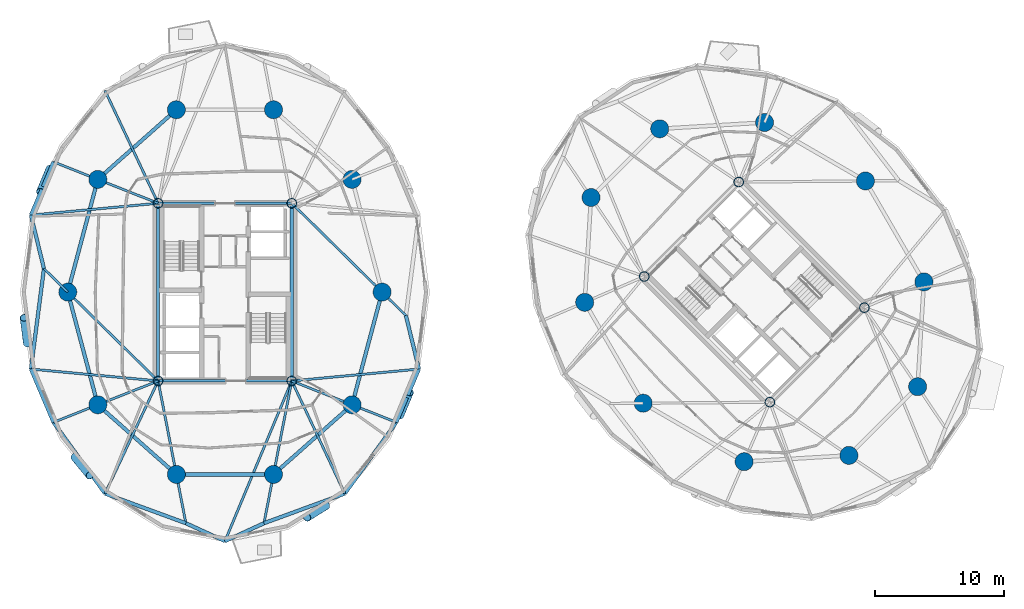
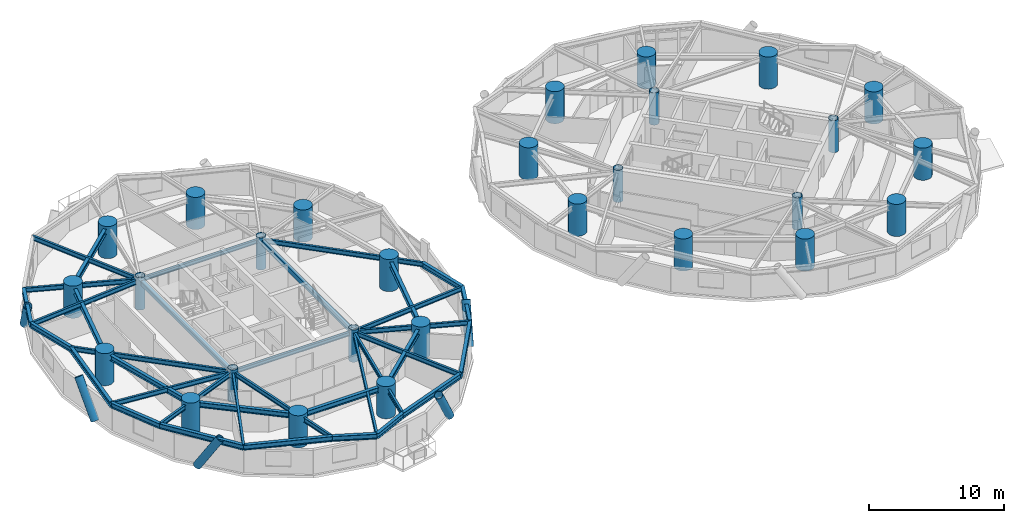
# One storey, part 1 of 18: 38 beams, 28 columns, 5 members.
"""IFC4 building model written with IfcOpenShell, lengths in metres."""

from ifc_helpers import new_model, si_unit, direction, frame, origin, origin_2d, place, context, subcontext, project, spatial, hollow_rectangle, circle, hollow_circle, i_section, extrude, material, material_profile, profile_set, type_object, element, save


model = new_model("IFC4")

# Units and contexts
model_context = context("Model", 3, precision=1e-05, world=origin(), true_north=direction((0.0, 1.0)))
body_context = subcontext(model_context, "Body", "Model", "MODEL_VIEW")
ifc_project = project(units=[si_unit("LENGTHUNIT", "METRE"), si_unit("AREAUNIT", "SQUARE_METRE"), si_unit("VOLUMEUNIT", "CUBIC_METRE"), si_unit("PLANEANGLEUNIT", "RADIAN"), si_unit("MASSUNIT", "GRAM", prefix="KILO")], contexts=[model_context])

# Site, building, storey
site_placement = place(None, origin())
site = spatial("IfcSite", under=ifc_project, at=site_placement, CompositionType="ELEMENT")
building_placement = place(site_placement, origin())
building = spatial("IfcBuilding", under=site, at=building_placement, Name="Cununo Teusaquillo Station Towers", CompositionType="ELEMENT")
storey_placement = place(building_placement, frame((0.0, 0.0, 105.070068359375)))
storey = spatial("IfcBuildingStorey", under=building, at=storey_placement, Name="L33", CompositionType="ELEMENT", Elevation=105.070068359375)

# Columns
ifc_material_1 = material(Name="Steel EN 10025-2 S355J2", Category="steel")
ifc_material_profile_1 = material_profile(ifc_material_1, hollow_circle(Radius=0.3798828125, WallThickness=0.031982421875, at=origin_2d()), Name="CHS 760x32")
ifc_profile_set_1 = profile_set([ifc_material_profile_1], Name="Steel EN 10025-2 S355J2")
column_type_1 = type_object("IfcColumnType", Name="COL-CORE-Z2", PredefinedType="COLUMN", material=ifc_profile_set_1)
for number, where, z_axis, x_axis, name in (
    (1, (11.324951171875, 17.6201171875, 0.0), (0.0, 0.0, 1.0), (1.0, 0.0, 0.0), "L33 Tower A Core Column 1"),
    (2, (11.324951171875, 31.3798828125, 0.0), (0.0, 0.0, 1.0), (1.0, 0.0, 0.0), "L33 Tower A Core Column 2"),
    (3, (21.675048828125, 17.6201171875, 0.0), (0.0, 0.0, 1.0), (1.0, 0.0, 0.0), "L33 Tower A Core Column 3"),
    (4, (21.675048828125, 31.3798828125, 0.0), (0.0, 0.0, 1.0), (1.0, 0.0, 0.0), "L33 Tower A Core Column 4"),
    (5, (58.70556640625, 15.975830078125, 0.0), (0.0, 0.0, 1.0), (0.707106781187, 0.707106781187, 0.0), "L33 Tower B Core Column 1"),
    (6, (48.975830078125, 25.70556640625, 0.0), (0.0, 0.0, 1.0), (0.707106781187, 0.707106781187, 0.0), "L33 Tower B Core Column 2"),
    (7, (66.024169921875, 23.29443359375, 0.0), (0.0, 0.0, 1.0), (0.707106781187, 0.707106781187, 0.0), "L33 Tower B Core Column 3"),
    (8, (56.29443359375, 33.024169921875, 0.0), (0.0, 0.0, 1.0), (0.707106781187, 0.707106781187, 0.0), "L33 Tower B Core Column 4"),
):
    element("IfcColumn", number, at=place(storey_placement, frame(where, z_axis=z_axis, x_axis=x_axis)), inside=storey, type_object=column_type_1, Name=name, PredefinedType="COLUMN", context=body_context, shape_type="SweptSolid", body=[
        extrude(hollow_circle(Radius=0.3798828125, WallThickness=0.031982421875, at=origin_2d()), origin(), (0.0, 0.0, 1.0), 2.909912109375),
    ])
ifc_material_2 = material(Name="Concrete C60/75", Category="concrete")
ifc_material_profile_2 = material_profile(ifc_material_2, circle(Radius=0.699951171875, at=origin_2d()), Name="RC-CIRC-1400")
ifc_profile_set_2 = profile_set([ifc_material_profile_2], Name="Concrete C60/75")
column_type_2 = type_object("IfcColumnType", Name="COL-MEGA-Z2", PredefinedType="USERDEFINED", material=ifc_profile_set_2)
for number, where, z_axis, x_axis, name in (
    (9, (28.672119140625, 24.5, 0.0), (0.0, 0.0, 1.0), (1.0, 0.0, 0.0), "L33 Tower A Perimeter Column V00"),
    (10, (26.347412109375, 33.228515625, 0.0), (0.0, 0.0, 1.0), (1.0, 0.0, 0.0), "L33 Tower A Perimeter Column V02"),
    (11, (20.261474609375, 38.623291015625, 0.0), (0.0, 0.0, 1.0), (1.0, 0.0, 0.0), "L33 Tower A Perimeter Column V04"),
    (12, (12.738525390625, 38.623291015625, 0.0), (0.0, 0.0, 1.0), (1.0, 0.0, 0.0), "L33 Tower A Perimeter Column V06"),
    (13, (6.652587890625, 33.228515625, 0.0), (0.0, 0.0, 1.0), (1.0, 0.0, 0.0), "L33 Tower A Perimeter Column V08"),
    (14, (4.327880859375, 24.5, 0.0), (0.0, 0.0, 1.0), (1.0, 0.0, 0.0), "L33 Tower A Perimeter Column V10"),
    (15, (6.652587890625, 15.771484375, 0.0), (0.0, 0.0, 1.0), (1.0, 0.0, 0.0), "L33 Tower A Perimeter Column V12"),
    (16, (12.738525390625, 10.376708984375, 0.0), (0.0, 0.0, 1.0), (1.0, 0.0, 0.0), "L33 Tower A Perimeter Column V14"),
    (17, (20.261474609375, 10.376708984375, 0.0), (0.0, 0.0, 1.0), (1.0, 0.0, 0.0), "L33 Tower A Perimeter Column V16"),
    (18, (26.347412109375, 15.771484375, 0.0), (0.0, 0.0, 1.0), (1.0, 0.0, 0.0), "L33 Tower A Perimeter Column V18"),
    (19, (66.10693359375, 33.10693359375, 0.0), (0.0, 0.0, 1.0), (1.0, 0.0, 0.0), "L33 Tower B Perimeter Column V00"),
    (20, (58.291015625, 37.63525390625, 0.0), (0.0, 0.0, 1.0), (1.0, 0.0, 0.0), "L33 Tower B Perimeter Column V02"),
    (21, (50.173095703125, 37.146240234375, 0.0), (0.0, 0.0, 1.0), (1.0, 0.0, 0.0), "L33 Tower B Perimeter Column V04"),
    (22, (44.853759765625, 31.826904296875, 0.0), (0.0, 0.0, 1.0), (1.0, 0.0, 0.0), "L33 Tower B Perimeter Column V06"),
    (23, (44.36474609375, 23.708984375, 0.0), (0.0, 0.0, 1.0), (1.0, 0.0, 0.0), "L33 Tower B Perimeter Column V08"),
    (24, (48.89306640625, 15.89306640625, 0.0), (0.0, 0.0, 1.0), (1.0, 0.0, 0.0), "L33 Tower B Perimeter Column V10"),
    (25, (56.708984375, 11.36474609375, 0.0), (0.0, 0.0, 1.0), (1.0, 0.0, 0.0), "L33 Tower B Perimeter Column V12"),
    (26, (64.826904296875, 11.853759765625, 0.0), (0.0, 0.0, 1.0), (1.0, 0.0, 0.0), "L33 Tower B Perimeter Column V14"),
    (27, (70.146240234375, 17.173095703125, 0.0), (0.0, 0.0, 1.0), (1.0, 0.0, 0.0), "L33 Tower B Perimeter Column V16"),
    (28, (70.63525390625, 25.291015625, 0.0), (0.0, 0.0, 1.0), (1.0, 0.0, 0.0), "L33 Tower B Perimeter Column V18"),
):
    element("IfcColumn", number, at=place(storey_placement, frame(where, z_axis=z_axis, x_axis=x_axis)), inside=storey, type_object=column_type_2, Name=name, ObjectType="MEGA COLUMN", PredefinedType="USERDEFINED", context=body_context, shape_type="SweptSolid", body=[
        extrude(circle(Radius=0.699951171875, at=origin_2d()), origin(), (0.0, 0.0, 1.0), 2.909912109375),
    ])

# Beams
ifc_material_3 = material(Name="Steel EN 10025-2 S355J2", Category="steel")
ifc_material_profile_3 = material_profile(ifc_material_3, hollow_rectangle(XDim=0.25, YDim=0.449951171875, WallThickness=0.01611328125, at=origin_2d()), Name="RHS 450x250x16")
ifc_profile_set_3 = profile_set([ifc_material_profile_3], Name="Steel EN 10025-2 S355J2")
beam_type_1 = type_object("IfcBeamType", Name="BM-COUP-1", PredefinedType="USERDEFINED", material=ifc_profile_set_3)
for number, where, z_axis, x_axis, name in (
    (29, (11.324951171875, 17.6201171875, 2.44482421875), (0.0, 1.0, 0.0), (-1.0, 0.0, 0.0), "L33 Tower A Core Beam 1"),
    (30, (21.675048828125, 17.6201171875, 2.44482421875), (0.0, 1.0, 0.0), (-1.0, 0.0, 0.0), "L33 Tower A Core Beam 2"),
):
    element("IfcBeam", number, at=place(storey_placement, frame(where, z_axis=z_axis, x_axis=x_axis)), inside=storey, type_object=beam_type_1, Name=name, ObjectType="COUPLING BEAM", PredefinedType="USERDEFINED", context=body_context, shape_type="SweptSolid", body=[
        extrude(hollow_rectangle(XDim=0.25, YDim=0.449951171875, WallThickness=0.01611328125, at=origin_2d()), origin(), (0.0, 0.0, 1.0), 13.759765625),
    ])
ifc_material_4 = material(Name="Steel ASTM A572 Grade 50", Category="steel")
ifc_material_profile_4 = material_profile(ifc_material_4, i_section(OverallWidth=0.180908203125, OverallDepth=0.4169921875, WebThickness=0.010986328125, FlangeThickness=0.018310546875, FilletRadius=0.012939453125, at=origin_2d()), Name="W16X57")
ifc_profile_set_4 = profile_set([ifc_material_profile_4], Name="Steel ASTM A572 Grade 50")
beam_type_2 = type_object("IfcBeamType", Name="BM-JOIST-1", PredefinedType="JOIST", material=ifc_profile_set_4)
beam_1_placement = place(storey_placement, frame((11.324951171875, 31.3798828125, 2.46142578125), z_axis=(-0.426319838016, 0.904572493344, 0.0), x_axis=(-0.904572493344, -0.426319838016, 0.0)))
element("IfcBeam", 31, at=beam_1_placement, inside=storey, type_object=beam_type_2, Name="L33 Tower A Radial Spandrel Joist V07", PredefinedType="JOIST", context=body_context, shape_type="SweptSolid", body=[
    extrude(i_section(OverallWidth=0.180908203125, OverallDepth=0.4169921875, WebThickness=0.010986328125, FlangeThickness=0.018310546875, FilletRadius=0.012939453125, at=origin_2d()), origin(), (0.0, 0.0, 1.0), 9.646728515625),
])
for number, where, z_axis, x_axis, name in (
    (32, (11.324951171875, 31.3798828125, 2.46142578125), (-0.995678537907, -0.09286683558, 0.0), (0.09286683558, -0.995678537907, 0.0), "L33 Tower A Radial Spandrel Joist V09"),
    (33, (11.324951171875, 17.6201171875, 2.46142578125), (-0.995678537907, 0.09286683558, 0.0), (-0.09286683558, -0.995678537907, 0.0), "L33 Tower A Radial Spandrel Joist V11"),
):
    element("IfcBeam", number, at=place(storey_placement, frame(where, z_axis=z_axis, x_axis=x_axis)), inside=storey, type_object=beam_type_2, Name=name, PredefinedType="JOIST", context=body_context, shape_type="SweptSolid", body=[
        extrude(i_section(OverallWidth=0.180908203125, OverallDepth=0.4169921875, WebThickness=0.010986328125, FlangeThickness=0.018310546875, FilletRadius=0.012939453125, at=origin_2d()), origin(), (0.0, 0.0, 1.0), 9.895263671875),
    ])
beam_2_placement = place(storey_placement, frame((11.324951171875, 17.6201171875, 2.46142578125), z_axis=(-0.426319838016, -0.904572493344, 0.0), x_axis=(0.904572493344, -0.426319838016, 0.0)))
element("IfcBeam", 34, at=beam_2_placement, inside=storey, type_object=beam_type_2, Name="L33 Tower A Radial Spandrel Joist V13", PredefinedType="JOIST", context=body_context, shape_type="SweptSolid", body=[
    extrude(i_section(OverallWidth=0.180908203125, OverallDepth=0.4169921875, WebThickness=0.010986328125, FlangeThickness=0.018310546875, FilletRadius=0.012939453125, at=origin_2d()), origin(), (0.0, 0.0, 1.0), 9.646728515625),
])
beam_3_placement = place(storey_placement, frame((21.675048828125, 17.6201171875, 2.46142578125), z_axis=(-0.38487837995, -0.922967297713, 0.0), x_axis=(0.922967297713, -0.38487837995, 0.0)))
element("IfcBeam", 35, at=beam_3_placement, inside=storey, type_object=beam_type_2, Name="L33 Tower A Radial Spandrel Joist V15", PredefinedType="JOIST", context=body_context, shape_type="SweptSolid", body=[
    extrude(i_section(OverallWidth=0.180908203125, OverallDepth=0.4169921875, WebThickness=0.010986328125, FlangeThickness=0.018310546875, FilletRadius=0.012939453125, at=origin_2d()), origin(), (0.0, 0.0, 1.0), 13.446044921875),
])
beam_4_placement = place(storey_placement, frame((21.675048828125, 17.6201171875, 2.46142578125), z_axis=(0.426319838016, -0.904572493344, 0.0), x_axis=(0.904572493344, 0.426319838016, 0.0)))
element("IfcBeam", 36, at=beam_4_placement, inside=storey, type_object=beam_type_2, Name="L33 Tower A Radial Spandrel Joist V17", PredefinedType="JOIST", context=body_context, shape_type="SweptSolid", body=[
    extrude(i_section(OverallWidth=0.180908203125, OverallDepth=0.4169921875, WebThickness=0.010986328125, FlangeThickness=0.018310546875, FilletRadius=0.012939453125, at=origin_2d()), origin(), (0.0, 0.0, 1.0), 9.646728515625),
])
beam_5_placement = place(storey_placement, frame((21.675048828125, 17.6201171875, 2.46142578125), z_axis=(0.995678537907, 0.09286683558, 0.0), x_axis=(-0.09286683558, 0.995678537907, 0.0)))
element("IfcBeam", 37, at=beam_5_placement, inside=storey, type_object=beam_type_2, Name="L33 Tower A Radial Spandrel Joist V19", PredefinedType="JOIST", context=body_context, shape_type="SweptSolid", body=[
    extrude(i_section(OverallWidth=0.180908203125, OverallDepth=0.4169921875, WebThickness=0.010986328125, FlangeThickness=0.018310546875, FilletRadius=0.012939453125, at=origin_2d()), origin(), (0.0, 0.0, 1.0), 9.895263671875),
])
ifc_material_5 = material(Name="Steel ASTM A572 Grade 50", Category="steel")
ifc_material_profile_5 = material_profile(ifc_material_5, i_section(OverallWidth=0.2041015625, OverallDepth=0.35009765625, WebThickness=0.008544921875, FlangeThickness=0.01513671875, FilletRadius=0.011962890625, at=origin_2d()), Name="W14X48")
ifc_profile_set_5 = profile_set([ifc_material_profile_5], Name="Steel ASTM A572 Grade 50")
beam_type_3 = type_object("IfcBeamType", Name="BM-LINTEL-1", PredefinedType="LINTEL", material=ifc_profile_set_5)
for number, where, z_axis, x_axis, name in (
    (38, (11.324951171875, 17.6201171875, 2.494873046875), (1.0, 0.0, 0.0), (0.0, 1.0, 0.0), "L33 Tower A Core Beam 3"),
    (39, (11.324951171875, 31.3798828125, 2.494873046875), (1.0, 0.0, 0.0), (0.0, 1.0, 0.0), "L33 Tower A Core Beam 4"),
):
    element("IfcBeam", number, at=place(storey_placement, frame(where, z_axis=z_axis, x_axis=x_axis)), inside=storey, type_object=beam_type_3, Name=name, PredefinedType="LINTEL", context=body_context, shape_type="SweptSolid", body=[
        extrude(i_section(OverallWidth=0.2041015625, OverallDepth=0.35009765625, WebThickness=0.008544921875, FlangeThickness=0.01513671875, FilletRadius=0.011962890625, at=origin_2d()), origin(), (0.0, 0.0, 1.0), 10.35009765625),
    ])
ifc_material_6 = material(Name="Steel ASTM A572 Grade 50", Category="steel")
ifc_material_profile_6 = material_profile(ifc_material_6, i_section(OverallWidth=0.180908203125, OverallDepth=0.4169921875, WebThickness=0.010986328125, FlangeThickness=0.018310546875, FilletRadius=0.012939453125, at=origin_2d()), Name="W16X57")
ifc_profile_set_6 = profile_set([ifc_material_profile_6], Name="Steel ASTM A572 Grade 50")
beam_type_4 = type_object("IfcBeamType", Name="BM-RAD-G2", PredefinedType="BEAM", material=ifc_profile_set_6)
beam_6_placement = place(storey_placement, frame((21.675048828125, 31.3798828125, 2.46142578125), z_axis=(0.713047137857, -0.701116095375, 0.0), x_axis=(0.701116095375, 0.713047137857, 0.0)))
element("IfcBeam", 40, at=beam_6_placement, inside=storey, type_object=beam_type_4, Name="L33 Tower A Continuous Overhanging Radial Girder 01", PredefinedType="BEAM", context=body_context, shape_type="SweptSolid", body=[
    extrude(i_section(OverallWidth=0.180908203125, OverallDepth=0.4169921875, WebThickness=0.010986328125, FlangeThickness=0.018310546875, FilletRadius=0.012939453125, at=origin_2d()), origin(), (0.0, 0.0, 1.0), 12.400390625),
])
beam_7_placement = place(storey_placement, frame((11.324951171875, 31.3798828125, 2.46142578125), z_axis=(-0.929863123823, 0.367905654963, 0.0), x_axis=(-0.367905654963, -0.929863123823, 0.0)))
element("IfcBeam", 41, at=beam_7_placement, inside=storey, type_object=beam_type_4, Name="L33 Tower A Continuous Overhanging Radial Girder 05", PredefinedType="BEAM", context=body_context, shape_type="SweptSolid", body=[
    extrude(i_section(OverallWidth=0.180908203125, OverallDepth=0.4169921875, WebThickness=0.010986328125, FlangeThickness=0.018310546875, FilletRadius=0.012939453125, at=origin_2d()), origin(), (0.0, 0.0, 1.0), 8.715087890625),
])
beam_8_placement = place(storey_placement, frame((11.324951171875, 17.6201171875, 2.46142578125), z_axis=(-0.713052701438, 0.701110437073, 0.0), x_axis=(-0.701110437073, -0.713052701438, 0.0)))
element("IfcBeam", 42, at=beam_8_placement, inside=storey, type_object=beam_type_4, Name="L33 Tower A Radial Girder 06A", PredefinedType="BEAM", context=body_context, shape_type="SweptSolid", body=[
    extrude(i_section(OverallWidth=0.180908203125, OverallDepth=0.4169921875, WebThickness=0.010986328125, FlangeThickness=0.018310546875, FilletRadius=0.012939453125, at=origin_2d()), origin(), (0.0, 0.0, 1.0), 9.812744140625),
])
beam_9_placement = place(storey_placement, frame((4.327880859375, 24.5, 2.46142578125), z_axis=(-0.7130260383, 0.701137553342, 0.0), x_axis=(-0.701137553342, -0.7130260383, 0.0)))
element("IfcBeam", 43, at=beam_9_placement, inside=storey, type_object=beam_type_4, Name="L33 Tower A Perimeter Overhang Girder 06B", PredefinedType="BEAM", context=body_context, shape_type="SweptSolid", body=[
    extrude(i_section(OverallWidth=0.180908203125, OverallDepth=0.4169921875, WebThickness=0.010986328125, FlangeThickness=0.018310546875, FilletRadius=0.012939453125, at=origin_2d()), origin(), (0.0, 0.0, 1.0), 2.58740234375),
])
beam_10_placement = place(storey_placement, frame((11.324951171875, 17.6201171875, 2.46142578125), z_axis=(-0.929863123823, -0.367905654963, 0.0), x_axis=(0.367905654963, -0.929863123823, 0.0)))
element("IfcBeam", 44, at=beam_10_placement, inside=storey, type_object=beam_type_4, Name="L33 Tower A Continuous Overhanging Radial Girder 07", PredefinedType="BEAM", context=body_context, shape_type="SweptSolid", body=[
    extrude(i_section(OverallWidth=0.180908203125, OverallDepth=0.4169921875, WebThickness=0.010986328125, FlangeThickness=0.018310546875, FilletRadius=0.012939453125, at=origin_2d()), origin(), (0.0, 0.0, 1.0), 8.715087890625),
])
for number, where, z_axis, x_axis, name in (
    (45, (11.324951171875, 17.6201171875, 2.46142578125), (0.191552755713, -0.981482318628, 0.0), (0.981482318628, 0.191552755713, 0.0), "L33 Tower A Continuous Overhanging Radial Girder 08"),
    (46, (21.675048828125, 17.6201171875, 2.46142578125), (-0.191552755713, -0.981482318628, 0.0), (0.981482318628, -0.191552755713, 0.0), "L33 Tower A Continuous Overhanging Radial Girder 09"),
):
    element("IfcBeam", number, at=place(storey_placement, frame(where, z_axis=z_axis, x_axis=x_axis)), inside=storey, type_object=beam_type_4, Name=name, PredefinedType="BEAM", context=body_context, shape_type="SweptSolid", body=[
        extrude(i_section(OverallWidth=0.180908203125, OverallDepth=0.4169921875, WebThickness=0.010986328125, FlangeThickness=0.018310546875, FilletRadius=0.012939453125, at=origin_2d()), origin(), (0.0, 0.0, 1.0), 11.22998046875),
    ])
beam_11_placement = place(storey_placement, frame((21.675048828125, 17.6201171875, 2.46142578125), z_axis=(0.929863123823, -0.367905654963, 0.0), x_axis=(0.367905654963, 0.929863123823, 0.0)))
element("IfcBeam", 47, at=beam_11_placement, inside=storey, type_object=beam_type_4, Name="L33 Tower A Continuous Overhanging Radial Girder 10", PredefinedType="BEAM", context=body_context, shape_type="SweptSolid", body=[
    extrude(i_section(OverallWidth=0.180908203125, OverallDepth=0.4169921875, WebThickness=0.010986328125, FlangeThickness=0.018310546875, FilletRadius=0.012939453125, at=origin_2d()), origin(), (0.0, 0.0, 1.0), 8.715087890625),
])
ifc_material_7 = material(Name="Steel ASTM A572 Grade 50", Category="steel")
ifc_material_profile_7 = material_profile(ifc_material_7, i_section(OverallWidth=0.280029296875, OverallDepth=0.462890625, WebThickness=0.0107421875, FlangeThickness=0.017333984375, FilletRadius=0.013916015625, at=origin_2d()), Name="W18X76")
ifc_profile_set_7 = profile_set([ifc_material_profile_7], Name="Steel ASTM A572 Grade 50")
beam_type_5 = type_object("IfcBeamType", Name="BM-RING-Z2", PredefinedType="SPANDREL", material=ifc_profile_set_7)
beam_12_placement = place(storey_placement, frame((12.738525390625, 38.623291015625, 2.4384765625), z_axis=(-0.74832120039, -0.66333655187, 0.0), x_axis=(0.66333655187, -0.74832120039, 0.0)))
element("IfcBeam", 48, at=beam_12_placement, inside=storey, type_object=beam_type_5, Name="L33 Tower A Structural Column Ring Girder 04", PredefinedType="SPANDREL", context=body_context, shape_type="SweptSolid", body=[
    extrude(i_section(OverallWidth=0.280029296875, OverallDepth=0.462890625, WebThickness=0.0107421875, FlangeThickness=0.017333984375, FilletRadius=0.013916015625, at=origin_2d()), origin(), (0.0, 0.0, 1.0), 8.1328125),
])
for number, where, z_axis, x_axis, name in (
    (49, (6.652587890625, 33.228515625, 2.4384765625), (-0.257363196347, -0.966314744359, 0.0), (0.966314744359, -0.257363196347, 0.0), "L33 Tower A Structural Column Ring Girder 05"),
    (50, (4.327880859375, 24.5, 2.4384765625), (0.257363196347, -0.966314744359, 0.0), (0.966314744359, 0.257363196347, 0.0), "L33 Tower A Structural Column Ring Girder 06"),
):
    element("IfcBeam", number, at=place(storey_placement, frame(where, z_axis=z_axis, x_axis=x_axis)), inside=storey, type_object=beam_type_5, Name=name, PredefinedType="SPANDREL", context=body_context, shape_type="SweptSolid", body=[
        extrude(i_section(OverallWidth=0.280029296875, OverallDepth=0.462890625, WebThickness=0.0107421875, FlangeThickness=0.017333984375, FilletRadius=0.013916015625, at=origin_2d()), origin(), (0.0, 0.0, 1.0), 9.03271484375),
    ])
beam_13_placement = place(storey_placement, frame((6.652587890625, 15.771484375, 2.4384765625), z_axis=(0.74832120039, -0.66333655187, 0.0), x_axis=(0.66333655187, 0.74832120039, 0.0)))
element("IfcBeam", 51, at=beam_13_placement, inside=storey, type_object=beam_type_5, Name="L33 Tower A Structural Column Ring Girder 07", PredefinedType="SPANDREL", context=body_context, shape_type="SweptSolid", body=[
    extrude(i_section(OverallWidth=0.280029296875, OverallDepth=0.462890625, WebThickness=0.0107421875, FlangeThickness=0.017333984375, FilletRadius=0.013916015625, at=origin_2d()), origin(), (0.0, 0.0, 1.0), 8.1328125),
])
beam_14_placement = place(storey_placement, frame((12.738525390625, 10.376708984375, 2.4384765625), z_axis=(1.0, 0.0, 0.0), x_axis=(0.0, 1.0, 0.0)))
element("IfcBeam", 52, at=beam_14_placement, inside=storey, type_object=beam_type_5, Name="L33 Tower A Structural Column Ring Girder 08", PredefinedType="SPANDREL", context=body_context, shape_type="SweptSolid", body=[
    extrude(i_section(OverallWidth=0.280029296875, OverallDepth=0.462890625, WebThickness=0.0107421875, FlangeThickness=0.017333984375, FilletRadius=0.013916015625, at=origin_2d()), origin(), (0.0, 0.0, 1.0), 7.52294921875),
])
beam_15_placement = place(storey_placement, frame((20.261474609375, 10.376708984375, 2.4384765625), z_axis=(0.74832120039, 0.66333655187, 0.0), x_axis=(-0.66333655187, 0.74832120039, 0.0)))
element("IfcBeam", 53, at=beam_15_placement, inside=storey, type_object=beam_type_5, Name="L33 Tower A Structural Column Ring Girder 09", PredefinedType="SPANDREL", context=body_context, shape_type="SweptSolid", body=[
    extrude(i_section(OverallWidth=0.280029296875, OverallDepth=0.462890625, WebThickness=0.0107421875, FlangeThickness=0.017333984375, FilletRadius=0.013916015625, at=origin_2d()), origin(), (0.0, 0.0, 1.0), 8.1328125),
])
beam_16_placement = place(storey_placement, frame((26.347412109375, 15.771484375, 2.4384765625), z_axis=(0.257363196347, 0.966314744359, 0.0), x_axis=(-0.966314744359, 0.257363196347, 0.0)))
element("IfcBeam", 54, at=beam_16_placement, inside=storey, type_object=beam_type_5, Name="L33 Tower A Structural Column Ring Girder 10", PredefinedType="SPANDREL", context=body_context, shape_type="SweptSolid", body=[
    extrude(i_section(OverallWidth=0.280029296875, OverallDepth=0.462890625, WebThickness=0.0107421875, FlangeThickness=0.017333984375, FilletRadius=0.013916015625, at=origin_2d()), origin(), (0.0, 0.0, 1.0), 9.03271484375),
])
beam_17_placement = place(storey_placement, frame((3.22119140625, 34.586181640625, 2.4384765625), z_axis=(-0.390299356049, -0.920688010494, 0.0), x_axis=(0.920688010494, -0.390299356049, 0.0)))
element("IfcBeam", 55, at=beam_17_placement, inside=storey, type_object=beam_type_5, Name="L33 Tower A Spandrel Ring Beam 09", PredefinedType="SPANDREL", context=body_context, shape_type="SweptSolid", body=[
    extrude(i_section(OverallWidth=0.280029296875, OverallDepth=0.462890625, WebThickness=0.0107421875, FlangeThickness=0.017333984375, FilletRadius=0.013916015625, at=origin_2d()), origin(), (0.0, 0.0, 1.0), 4.480712890625),
])
beam_18_placement = place(storey_placement, frame((1.472412109375, 30.4609375, 2.4384765625), z_axis=(0.236757334703, -0.971568816124, 0.0), x_axis=(0.971568816124, 0.236757334703, 0.0)))
element("IfcBeam", 56, at=beam_18_placement, inside=storey, type_object=beam_type_5, Name="L33 Tower A Spandrel Ring Beam 10", PredefinedType="SPANDREL", context=body_context, shape_type="SweptSolid", body=[
    extrude(i_section(OverallWidth=0.280029296875, OverallDepth=0.462890625, WebThickness=0.0107421875, FlangeThickness=0.017333984375, FilletRadius=0.013916015625, at=origin_2d()), origin(), (0.0, 0.0, 1.0), 4.26806640625),
])
beam_19_placement = place(storey_placement, frame((2.48291015625, 26.314208984375, 2.4384765625), z_axis=(-0.12888124113, -0.991660035337, 0.0), x_axis=(0.991660035337, -0.12888124113, 0.0)))
element("IfcBeam", 57, at=beam_19_placement, inside=storey, type_object=beam_type_5, Name="L33 Tower A Spandrel Ring Beam 11", PredefinedType="SPANDREL", context=body_context, shape_type="SweptSolid", body=[
    extrude(i_section(OverallWidth=0.280029296875, OverallDepth=0.462890625, WebThickness=0.0107421875, FlangeThickness=0.017333984375, FilletRadius=0.013916015625, at=origin_2d()), origin(), (0.0, 0.0, 1.0), 7.840576171875),
])
beam_20_placement = place(storey_placement, frame((1.472412109375, 18.5390625, 2.4384765625), z_axis=(0.390299356049, -0.920688010494, 0.0), x_axis=(0.920688010494, 0.390299356049, 0.0)))
element("IfcBeam", 58, at=beam_20_placement, inside=storey, type_object=beam_type_5, Name="L33 Tower A Spandrel Ring Beam 12", PredefinedType="SPANDREL", context=body_context, shape_type="SweptSolid", body=[
    extrude(i_section(OverallWidth=0.280029296875, OverallDepth=0.462890625, WebThickness=0.0107421875, FlangeThickness=0.017333984375, FilletRadius=0.013916015625, at=origin_2d()), origin(), (0.0, 0.0, 1.0), 4.480712890625),
])
beam_21_placement = place(storey_placement, frame((3.22119140625, 14.413818359375, 2.4384765625), z_axis=(0.58594455724, -0.810351143543, 0.0), x_axis=(0.810351143543, 0.58594455724, 0.0)))
element("IfcBeam", 59, at=beam_21_placement, inside=storey, type_object=beam_type_5, Name="L33 Tower A Spandrel Ring Beam 13", PredefinedType="SPANDREL", context=body_context, shape_type="SweptSolid", body=[
    extrude(i_section(OverallWidth=0.280029296875, OverallDepth=0.462890625, WebThickness=0.0107421875, FlangeThickness=0.017333984375, FilletRadius=0.013916015625, at=origin_2d()), origin(), (0.0, 0.0, 1.0), 6.8115234375),
])
beam_22_placement = place(storey_placement, frame((7.21240234375, 8.89404296875, 2.4384765625), z_axis=(0.938914161016, -0.34415141761, 0.0), x_axis=(0.34415141761, 0.938914161016, 0.0)))
element("IfcBeam", 60, at=beam_22_placement, inside=storey, type_object=beam_type_5, Name="L33 Tower A Spandrel Ring Beam 14", PredefinedType="SPANDREL", context=body_context, shape_type="SweptSolid", body=[
    extrude(i_section(OverallWidth=0.280029296875, OverallDepth=0.462890625, WebThickness=0.0107421875, FlangeThickness=0.017333984375, FilletRadius=0.013916015625, at=origin_2d()), origin(), (0.0, 0.0, 1.0), 6.671142578125),
])
for number, where, z_axis, x_axis, name in (
    (61, (13.47607421875, 6.59814453125, 2.4384765625), (0.908812215281, -0.417205413862, 0.0), (0.417205413862, 0.908812215281, 0.0), "L33 Tower A Spandrel Ring Beam 15"),
    (62, (16.5, 5.2099609375, 2.4384765625), (0.908812215281, 0.417205413862, 0.0), (-0.417205413862, 0.908812215281, 0.0), "L33 Tower A Spandrel Ring Beam 16"),
):
    element("IfcBeam", number, at=place(storey_placement, frame(where, z_axis=z_axis, x_axis=x_axis)), inside=storey, type_object=beam_type_5, Name=name, PredefinedType="SPANDREL", context=body_context, shape_type="SweptSolid", body=[
        extrude(i_section(OverallWidth=0.280029296875, OverallDepth=0.462890625, WebThickness=0.0107421875, FlangeThickness=0.017333984375, FilletRadius=0.013916015625, at=origin_2d()), origin(), (0.0, 0.0, 1.0), 3.327392578125),
    ])
beam_23_placement = place(storey_placement, frame((19.52392578125, 6.59814453125, 2.4384765625), z_axis=(0.938914161016, 0.34415141761, 0.0), x_axis=(-0.34415141761, 0.938914161016, 0.0)))
element("IfcBeam", 63, at=beam_23_placement, inside=storey, type_object=beam_type_5, Name="L33 Tower A Spandrel Ring Beam 17", PredefinedType="SPANDREL", context=body_context, shape_type="SweptSolid", body=[
    extrude(i_section(OverallWidth=0.280029296875, OverallDepth=0.462890625, WebThickness=0.0107421875, FlangeThickness=0.017333984375, FilletRadius=0.013916015625, at=origin_2d()), origin(), (0.0, 0.0, 1.0), 6.671142578125),
])
beam_24_placement = place(storey_placement, frame((25.78759765625, 8.89404296875, 2.4384765625), z_axis=(0.58594455724, 0.810351143543, 0.0), x_axis=(-0.810351143543, 0.58594455724, 0.0)))
element("IfcBeam", 64, at=beam_24_placement, inside=storey, type_object=beam_type_5, Name="L33 Tower A Spandrel Ring Beam 18", PredefinedType="SPANDREL", context=body_context, shape_type="SweptSolid", body=[
    extrude(i_section(OverallWidth=0.280029296875, OverallDepth=0.462890625, WebThickness=0.0107421875, FlangeThickness=0.017333984375, FilletRadius=0.013916015625, at=origin_2d()), origin(), (0.0, 0.0, 1.0), 6.8115234375),
])
beam_25_placement = place(storey_placement, frame((29.77880859375, 14.413818359375, 2.4384765625), z_axis=(0.390299356049, 0.920688010494, 0.0), x_axis=(-0.920688010494, 0.390299356049, 0.0)))
element("IfcBeam", 65, at=beam_25_placement, inside=storey, type_object=beam_type_5, Name="L33 Tower A Spandrel Ring Beam 19", PredefinedType="SPANDREL", context=body_context, shape_type="SweptSolid", body=[
    extrude(i_section(OverallWidth=0.280029296875, OverallDepth=0.462890625, WebThickness=0.0107421875, FlangeThickness=0.017333984375, FilletRadius=0.013916015625, at=origin_2d()), origin(), (0.0, 0.0, 1.0), 4.480712890625),
])
beam_26_placement = place(storey_placement, frame((31.527587890625, 18.5390625, 2.4384765625), z_axis=(-0.236757334703, 0.971568816124, 0.0), x_axis=(-0.971568816124, -0.236757334703, 0.0)))
element("IfcBeam", 66, at=beam_26_placement, inside=storey, type_object=beam_type_5, Name="L33 Tower A Spandrel Ring Beam 20", PredefinedType="SPANDREL", context=body_context, shape_type="SweptSolid", body=[
    extrude(i_section(OverallWidth=0.280029296875, OverallDepth=0.462890625, WebThickness=0.0107421875, FlangeThickness=0.017333984375, FilletRadius=0.013916015625, at=origin_2d()), origin(), (0.0, 0.0, 1.0), 4.26806640625),
])

# Members
ifc_material_8 = material(Name="Steel EN 10025-2 S355J2", Category="steel")
ifc_material_profile_8 = material_profile(ifc_material_8, hollow_circle(Radius=0.330078125, WallThickness=0.02490234375, at=origin_2d()), Name="CHS 660x25")
ifc_profile_set_8 = profile_set([ifc_material_profile_8], Name="Steel EN 10025-2 S355J2")
member_type = type_object("IfcMemberType", Name="MBR-DIAG-Z2", PredefinedType="BRACE", material=ifc_profile_set_8)
member_1_placement = place(storey_placement, frame((2.968505859375, 34.0458984375, -0.14013671875), z_axis=(-0.213801258435, -0.512313589893, 0.831759464931), x_axis=(0.922861086318, -0.385132983993, 0.0)))
element("IfcMember", 67, at=member_1_placement, inside=storey, type_object=member_type, Name="L33 Tower A Folded-Zigzag Diagrid Tube C08", PredefinedType="BRACE", context=body_context, shape_type="SweptSolid", body=[
    extrude(hollow_circle(Radius=0.330078125, WallThickness=0.02490234375, at=origin_2d()), origin(), (0.0, 0.0, 1.0), 3.498779296875),
])
member_2_placement = place(storey_placement, frame((1.214599609375, 20.526123046875, -0.14013671875), z_axis=(-0.072970268481, 0.562340951609, 0.823679545734), x_axis=(-0.991685812096, -0.128682749763, 0.0)))
element("IfcMember", 68, at=member_2_placement, inside=storey, type_object=member_type, Name="L33 Tower A Folded-Zigzag Diagrid Tube C10", PredefinedType="BRACE", context=body_context, shape_type="SweptSolid", body=[
    extrude(hollow_circle(Radius=0.330078125, WallThickness=0.02490234375, at=origin_2d()), origin(), (0.0, 0.0, 1.0), 3.533203125),
])
member_3_placement = place(storey_placement, frame((4.8818359375, 11.739013671875, -0.14013671875), z_axis=(0.338510463773, -0.413191276334, 0.845389635067), x_axis=(0.773548952929, 0.633736552065, 0.0)))
element("IfcMember", 69, at=member_3_placement, inside=storey, type_object=member_type, Name="L33 Tower A Folded-Zigzag Diagrid Tube C12", PredefinedType="BRACE", context=body_context, shape_type="SweptSolid", body=[
    extrude(hollow_circle(Radius=0.330078125, WallThickness=0.02490234375, at=origin_2d()), origin(), (0.0, 0.0, 1.0), 3.4423828125),
])
member_4_placement = place(storey_placement, frame((24.3193359375, 7.980712890625, -0.14013671875), z_axis=(-0.433741137774, -0.269808047292, 0.859693109789), x_axis=(0.528195574716, -0.849122744278, 0.0)))
element("IfcMember", 70, at=member_4_placement, inside=storey, type_object=member_type, Name="L33 Tower A Folded-Zigzag Diagrid Tube C16", PredefinedType="BRACE", context=body_context, shape_type="SweptSolid", body=[
    extrude(hollow_circle(Radius=0.330078125, WallThickness=0.02490234375, at=origin_2d()), origin(), (0.0, 0.0, 1.0), 3.385009765625),
])
member_5_placement = place(storey_placement, frame((30.031494140625, 14.9541015625, -0.14013671875), z_axis=(0.213801258435, 0.512313589893, 0.831759464931), x_axis=(-0.922861086318, 0.385132983993, 0.0)))
element("IfcMember", 71, at=member_5_placement, inside=storey, type_object=member_type, Name="L33 Tower A Folded-Zigzag Diagrid Tube C18", PredefinedType="BRACE", context=body_context, shape_type="SweptSolid", body=[
    extrude(hollow_circle(Radius=0.330078125, WallThickness=0.02490234375, at=origin_2d()), origin(), (0.0, 0.0, 1.0), 3.498779296875),
])

save(model, "model.ifc")
